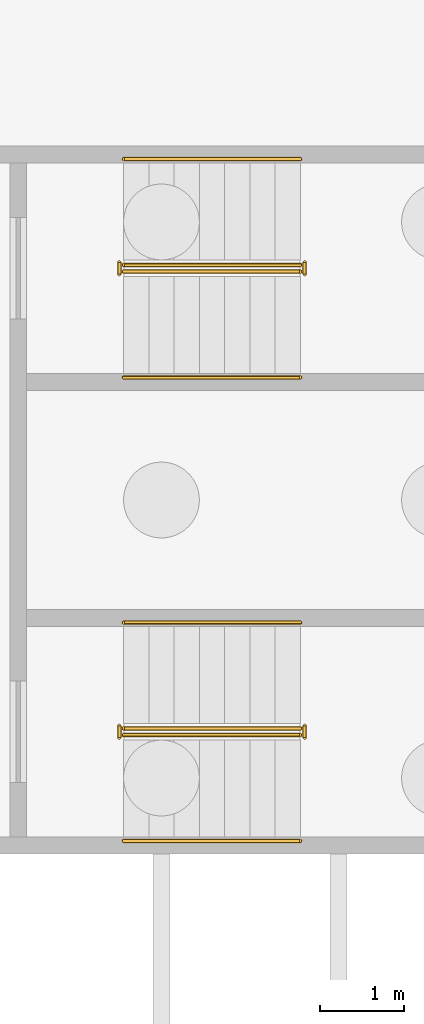
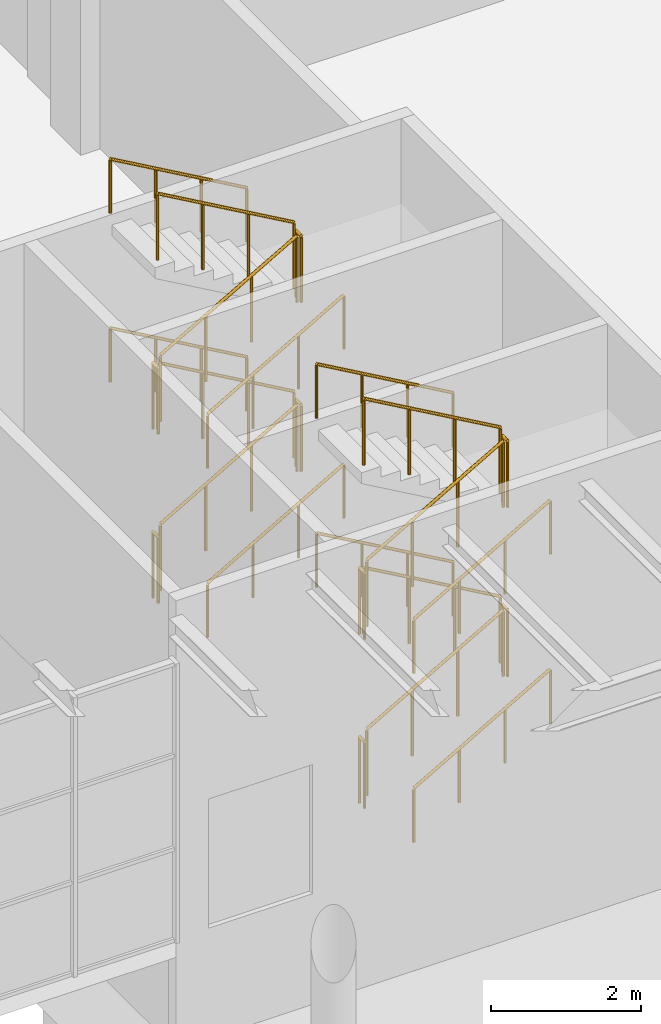
# One storey, part 72 of 82: 24 railings.
"""IFC4 building model written with IfcOpenShell, lengths in metres."""

from ifc_helpers import new_model, si_unit, direction, frame, origin, origin_2d, place, context, subcontext, project, spatial, circle, extrude, material, type_object, element, save


model = new_model("IFC4")

# Units and contexts
model_context = context("Model", 3, precision=1e-05, world=origin(), true_north=direction((0.0, 1.0)))
body_context = subcontext(model_context, "Body", "Model", "MODEL_VIEW")
ifc_project = project(units=[si_unit("LENGTHUNIT", "METRE"), si_unit("AREAUNIT", "SQUARE_METRE"), si_unit("VOLUMEUNIT", "CUBIC_METRE"), si_unit("PLANEANGLEUNIT", "RADIAN"), si_unit("MASSUNIT", "GRAM", prefix="KILO")], contexts=[model_context])

# Site, building, storey
site_placement = place(None, origin())
site = spatial("IfcSite", under=ifc_project, at=site_placement, CompositionType="ELEMENT")
building_placement = place(site_placement, origin())
building = spatial("IfcBuilding", under=site, at=building_placement, Name="Almond Square Museum", CompositionType="ELEMENT")
storey_placement = place(building_placement, origin())
storey = spatial("IfcBuildingStorey", under=building, at=storey_placement, Name="L00", CompositionType="ELEMENT", Elevation=0.0)

# Railings
ifc_material_1 = material(Name="Stainless steel and laminated glass", Category="steel")
railing_type_1 = type_object("IfcRailingType", Name="Stair guard 1100 steel and glass", PredefinedType="GUARDRAIL", material=ifc_material_1)
railing_1_placement = place(storey_placement, frame((102.14990234375, 68.610107421875, 0.171875)))
element("IfcRailing", 1, at=railing_1_placement, inside=storey, type_object=railing_type_1, Name="L00 ST-11 stair guard 1", PredefinedType="GUARDRAIL", context=body_context, shape_type="SweptSolid", body=[
    extrude(circle(Radius=0.02392578125, at=origin_2d()), frame((0.0, 0.0, 1.076171875), z_axis=(0.867696358075, 0.0, 0.497094588769), x_axis=(0.0, 1.0, 0.0)), (0.0, 0.0, 1.0), 2.42041015625),
    extrude(circle(Radius=0.02099609375, at=origin_2d()), origin(), (0.0, 0.0, 1.0), 1.052001953125),
    extrude(circle(Radius=0.02099609375, at=origin_2d()), frame((0.699951171875, 0.0, 0.401123046875)), (0.0, 0.0, 1.0), 1.052001953125),
    extrude(circle(Radius=0.02099609375, at=origin_2d()), frame((1.400146484375, 0.0, 0.802001953125)), (0.0, 0.0, 1.0), 1.052001953125),
    extrude(circle(Radius=0.02099609375, at=origin_2d()), frame((2.10009765625, 0.0, 1.203125)), (0.0, 0.0, 1.0), 1.052001953125),
])
railing_2_placement = place(storey_placement, frame((104.300048828125, 68.580078125, 1.375)))
element("IfcRailing", 2, at=railing_2_placement, inside=storey, type_object=railing_type_1, Name="L00 ST-11 stair guard 2", PredefinedType="GUARDRAIL", context=body_context, shape_type="SweptSolid", body=[
    extrude(circle(Radius=0.02392578125, at=origin_2d()), frame((0.0, 0.0, 1.076171875), z_axis=(0.0, 1.0, 0.0), x_axis=(-1.0, 0.0, 0.0)), (0.0, 0.0, 1.0), 0.139892578125),
    extrude(circle(Radius=0.02099609375, at=origin_2d()), origin(), (0.0, 0.0, 1.0), 1.052001953125),
    extrude(circle(Radius=0.02099609375, at=origin_2d()), frame((0.0, 0.139892578125, 0.0)), (0.0, 0.0, 1.0), 1.052001953125),
])
railing_3_placement = place(storey_placement, frame((104.25, 68.68994140625, 1.546875)))
element("IfcRailing", 3, at=railing_3_placement, inside=storey, type_object=railing_type_1, Name="L00 ST-11 stair guard 3", PredefinedType="GUARDRAIL", context=body_context, shape_type="SweptSolid", body=[
    extrude(circle(Radius=0.02392578125, at=origin_2d()), frame((0.0, 0.0, 1.076171875), z_axis=(-0.867696358075, 0.0, 0.497094588769), x_axis=(0.0, -1.0, 0.0)), (0.0, 0.0, 1.0), 2.42041015625),
    extrude(circle(Radius=0.02099609375, at=origin_2d()), origin(), (0.0, 0.0, 1.0), 1.052001953125),
    extrude(circle(Radius=0.02099609375, at=origin_2d()), frame((-0.699951171875, 0.0, 0.401123046875)), (0.0, 0.0, 1.0), 1.052001953125),
    extrude(circle(Radius=0.02099609375, at=origin_2d()), frame((-1.400146484375, 0.0, 0.802001953125)), (0.0, 0.0, 1.0), 1.052001953125),
    extrude(circle(Radius=0.02099609375, at=origin_2d()), frame((-2.10009765625, 0.0, 1.203125)), (0.0, 0.0, 1.0), 1.052001953125),
])
railing_4_placement = place(storey_placement, frame((102.10009765625, 68.580078125, 2.75)))
element("IfcRailing", 4, at=railing_4_placement, inside=storey, type_object=railing_type_1, Name="L00 ST-11 stair guard 4", PredefinedType="GUARDRAIL", context=body_context, shape_type="SweptSolid", body=[
    extrude(circle(Radius=0.02392578125, at=origin_2d()), frame((0.0, 0.0, 1.076171875), z_axis=(0.0, 1.0, 0.0), x_axis=(-1.0, 0.0, 0.0)), (0.0, 0.0, 1.0), 0.139892578125),
    extrude(circle(Radius=0.02099609375, at=origin_2d()), origin(), (0.0, 0.0, 1.0), 1.052001953125),
    extrude(circle(Radius=0.02099609375, at=origin_2d()), frame((0.0, 0.139892578125, 0.0)), (0.0, 0.0, 1.0), 1.052001953125),
])
railing_5_placement = place(storey_placement, frame((102.14990234375, 68.610107421875, 2.921875)))
element("IfcRailing", 5, at=railing_5_placement, inside=storey, type_object=railing_type_1, Name="L00 ST-11 stair guard 5", PredefinedType="GUARDRAIL", context=body_context, shape_type="SweptSolid", body=[
    extrude(circle(Radius=0.02392578125, at=origin_2d()), frame((0.0, 0.0, 1.076171875), z_axis=(0.867696358075, 0.0, 0.497094588769), x_axis=(0.0, 1.0, 0.0)), (0.0, 0.0, 1.0), 2.42041015625),
    extrude(circle(Radius=0.02099609375, at=origin_2d()), origin(), (0.0, 0.0, 1.0), 1.052001953125),
    extrude(circle(Radius=0.02099609375, at=origin_2d()), frame((0.699951171875, 0.0, 0.401123046875)), (0.0, 0.0, 1.0), 1.052001953125),
    extrude(circle(Radius=0.02099609375, at=origin_2d()), frame((1.400146484375, 0.0, 0.802001953125)), (0.0, 0.0, 1.0), 1.052001953125),
    extrude(circle(Radius=0.02099609375, at=origin_2d()), frame((2.10009765625, 0.0, 1.203125)), (0.0, 0.0, 1.0), 1.052001953125),
])
railing_6_placement = place(storey_placement, frame((104.300048828125, 68.580078125, 4.125)))
element("IfcRailing", 6, at=railing_6_placement, inside=storey, type_object=railing_type_1, Name="L00 ST-11 stair guard 6", PredefinedType="GUARDRAIL", context=body_context, shape_type="SweptSolid", body=[
    extrude(circle(Radius=0.02392578125, at=origin_2d()), frame((0.0, 0.0, 1.076171875), z_axis=(0.0, 1.0, 0.0), x_axis=(-1.0, 0.0, 0.0)), (0.0, 0.0, 1.0), 0.139892578125),
    extrude(circle(Radius=0.02099609375, at=origin_2d()), origin(), (0.0, 0.0, 1.0), 1.052001953125),
    extrude(circle(Radius=0.02099609375, at=origin_2d()), frame((0.0, 0.139892578125, 0.0)), (0.0, 0.0, 1.0), 1.052001953125),
])
railing_7_placement = place(storey_placement, frame((104.25, 68.68994140625, 4.296875)))
element("IfcRailing", 7, at=railing_7_placement, inside=storey, type_object=railing_type_1, Name="L00 ST-11 stair guard 7", PredefinedType="GUARDRAIL", context=body_context, shape_type="SweptSolid", body=[
    extrude(circle(Radius=0.02392578125, at=origin_2d()), frame((0.0, 0.0, 1.076171875), z_axis=(-0.867696358075, 0.0, 0.497094588769), x_axis=(0.0, -1.0, 0.0)), (0.0, 0.0, 1.0), 2.42041015625),
    extrude(circle(Radius=0.02099609375, at=origin_2d()), origin(), (0.0, 0.0, 1.0), 1.052001953125),
    extrude(circle(Radius=0.02099609375, at=origin_2d()), frame((-0.699951171875, 0.0, 0.401123046875)), (0.0, 0.0, 1.0), 1.052001953125),
    extrude(circle(Radius=0.02099609375, at=origin_2d()), frame((-1.400146484375, 0.0, 0.802001953125)), (0.0, 0.0, 1.0), 1.052001953125),
    extrude(circle(Radius=0.02099609375, at=origin_2d()), frame((-2.10009765625, 0.0, 1.203125)), (0.0, 0.0, 1.0), 1.052001953125),
])
railing_8_placement = place(storey_placement, frame((102.10009765625, 68.580078125, 0.0)))
element("IfcRailing", 8, at=railing_8_placement, inside=storey, type_object=railing_type_1, Name="L00 ST-11 stair guard 8", PredefinedType="GUARDRAIL", context=body_context, shape_type="SweptSolid", body=[
    extrude(circle(Radius=0.02392578125, at=origin_2d()), frame((0.0, 0.0, 1.076171875), z_axis=(0.0, 1.0, 0.0), x_axis=(-1.0, 0.0, 0.0)), (0.0, 0.0, 1.0), 0.139892578125),
    extrude(circle(Radius=0.02099609375, at=origin_2d()), origin(), (0.0, 0.0, 1.0), 1.052001953125),
    extrude(circle(Radius=0.02099609375, at=origin_2d()), frame((0.0, 0.139892578125, 0.0)), (0.0, 0.0, 1.0), 1.052001953125),
])
railing_9_placement = place(storey_placement, frame((102.14990234375, 74.110107421875, 0.171875)))
element("IfcRailing", 9, at=railing_9_placement, inside=storey, type_object=railing_type_1, Name="L00 ST-12 stair guard 1", PredefinedType="GUARDRAIL", context=body_context, shape_type="SweptSolid", body=[
    extrude(circle(Radius=0.02392578125, at=origin_2d()), frame((0.0, 0.0, 1.076171875), z_axis=(0.867696358075, 0.0, 0.497094588769), x_axis=(0.0, 1.0, 0.0)), (0.0, 0.0, 1.0), 2.42041015625),
    extrude(circle(Radius=0.02099609375, at=origin_2d()), origin(), (0.0, 0.0, 1.0), 1.052001953125),
    extrude(circle(Radius=0.02099609375, at=origin_2d()), frame((0.699951171875, 0.0, 0.401123046875)), (0.0, 0.0, 1.0), 1.052001953125),
    extrude(circle(Radius=0.02099609375, at=origin_2d()), frame((1.400146484375, 0.0, 0.802001953125)), (0.0, 0.0, 1.0), 1.052001953125),
    extrude(circle(Radius=0.02099609375, at=origin_2d()), frame((2.10009765625, 0.0, 1.203125)), (0.0, 0.0, 1.0), 1.052001953125),
])
railing_10_placement = place(storey_placement, frame((104.300048828125, 74.080078125, 1.375)))
element("IfcRailing", 10, at=railing_10_placement, inside=storey, type_object=railing_type_1, Name="L00 ST-12 stair guard 2", PredefinedType="GUARDRAIL", context=body_context, shape_type="SweptSolid", body=[
    extrude(circle(Radius=0.02392578125, at=origin_2d()), frame((0.0, 0.0, 1.076171875), z_axis=(0.0, 1.0, 0.0), x_axis=(-1.0, 0.0, 0.0)), (0.0, 0.0, 1.0), 0.139892578125),
    extrude(circle(Radius=0.02099609375, at=origin_2d()), origin(), (0.0, 0.0, 1.0), 1.052001953125),
    extrude(circle(Radius=0.02099609375, at=origin_2d()), frame((0.0, 0.139892578125, 0.0)), (0.0, 0.0, 1.0), 1.052001953125),
])
railing_11_placement = place(storey_placement, frame((104.25, 74.18994140625, 1.546875)))
element("IfcRailing", 11, at=railing_11_placement, inside=storey, type_object=railing_type_1, Name="L00 ST-12 stair guard 3", PredefinedType="GUARDRAIL", context=body_context, shape_type="SweptSolid", body=[
    extrude(circle(Radius=0.02392578125, at=origin_2d()), frame((0.0, 0.0, 1.076171875), z_axis=(-0.867696358075, 0.0, 0.497094588769), x_axis=(0.0, -1.0, 0.0)), (0.0, 0.0, 1.0), 2.42041015625),
    extrude(circle(Radius=0.02099609375, at=origin_2d()), origin(), (0.0, 0.0, 1.0), 1.052001953125),
    extrude(circle(Radius=0.02099609375, at=origin_2d()), frame((-0.699951171875, 0.0, 0.401123046875)), (0.0, 0.0, 1.0), 1.052001953125),
    extrude(circle(Radius=0.02099609375, at=origin_2d()), frame((-1.400146484375, 0.0, 0.802001953125)), (0.0, 0.0, 1.0), 1.052001953125),
    extrude(circle(Radius=0.02099609375, at=origin_2d()), frame((-2.10009765625, 0.0, 1.203125)), (0.0, 0.0, 1.0), 1.052001953125),
])
railing_12_placement = place(storey_placement, frame((102.10009765625, 74.080078125, 2.75)))
element("IfcRailing", 12, at=railing_12_placement, inside=storey, type_object=railing_type_1, Name="L00 ST-12 stair guard 4", PredefinedType="GUARDRAIL", context=body_context, shape_type="SweptSolid", body=[
    extrude(circle(Radius=0.02392578125, at=origin_2d()), frame((0.0, 0.0, 1.076171875), z_axis=(0.0, 1.0, 0.0), x_axis=(-1.0, 0.0, 0.0)), (0.0, 0.0, 1.0), 0.139892578125),
    extrude(circle(Radius=0.02099609375, at=origin_2d()), origin(), (0.0, 0.0, 1.0), 1.052001953125),
    extrude(circle(Radius=0.02099609375, at=origin_2d()), frame((0.0, 0.139892578125, 0.0)), (0.0, 0.0, 1.0), 1.052001953125),
])
railing_13_placement = place(storey_placement, frame((102.14990234375, 74.110107421875, 2.921875)))
element("IfcRailing", 13, at=railing_13_placement, inside=storey, type_object=railing_type_1, Name="L00 ST-12 stair guard 5", PredefinedType="GUARDRAIL", context=body_context, shape_type="SweptSolid", body=[
    extrude(circle(Radius=0.02392578125, at=origin_2d()), frame((0.0, 0.0, 1.076171875), z_axis=(0.867696358075, 0.0, 0.497094588769), x_axis=(0.0, 1.0, 0.0)), (0.0, 0.0, 1.0), 2.42041015625),
    extrude(circle(Radius=0.02099609375, at=origin_2d()), origin(), (0.0, 0.0, 1.0), 1.052001953125),
    extrude(circle(Radius=0.02099609375, at=origin_2d()), frame((0.699951171875, 0.0, 0.401123046875)), (0.0, 0.0, 1.0), 1.052001953125),
    extrude(circle(Radius=0.02099609375, at=origin_2d()), frame((1.400146484375, 0.0, 0.802001953125)), (0.0, 0.0, 1.0), 1.052001953125),
    extrude(circle(Radius=0.02099609375, at=origin_2d()), frame((2.10009765625, 0.0, 1.203125)), (0.0, 0.0, 1.0), 1.052001953125),
])
railing_14_placement = place(storey_placement, frame((104.300048828125, 74.080078125, 4.125)))
element("IfcRailing", 14, at=railing_14_placement, inside=storey, type_object=railing_type_1, Name="L00 ST-12 stair guard 6", PredefinedType="GUARDRAIL", context=body_context, shape_type="SweptSolid", body=[
    extrude(circle(Radius=0.02392578125, at=origin_2d()), frame((0.0, 0.0, 1.076171875), z_axis=(0.0, 1.0, 0.0), x_axis=(-1.0, 0.0, 0.0)), (0.0, 0.0, 1.0), 0.139892578125),
    extrude(circle(Radius=0.02099609375, at=origin_2d()), origin(), (0.0, 0.0, 1.0), 1.052001953125),
    extrude(circle(Radius=0.02099609375, at=origin_2d()), frame((0.0, 0.139892578125, 0.0)), (0.0, 0.0, 1.0), 1.052001953125),
])
railing_15_placement = place(storey_placement, frame((104.25, 74.18994140625, 4.296875)))
element("IfcRailing", 15, at=railing_15_placement, inside=storey, type_object=railing_type_1, Name="L00 ST-12 stair guard 7", PredefinedType="GUARDRAIL", context=body_context, shape_type="SweptSolid", body=[
    extrude(circle(Radius=0.02392578125, at=origin_2d()), frame((0.0, 0.0, 1.076171875), z_axis=(-0.867696358075, 0.0, 0.497094588769), x_axis=(0.0, -1.0, 0.0)), (0.0, 0.0, 1.0), 2.42041015625),
    extrude(circle(Radius=0.02099609375, at=origin_2d()), origin(), (0.0, 0.0, 1.0), 1.052001953125),
    extrude(circle(Radius=0.02099609375, at=origin_2d()), frame((-0.699951171875, 0.0, 0.401123046875)), (0.0, 0.0, 1.0), 1.052001953125),
    extrude(circle(Radius=0.02099609375, at=origin_2d()), frame((-1.400146484375, 0.0, 0.802001953125)), (0.0, 0.0, 1.0), 1.052001953125),
    extrude(circle(Radius=0.02099609375, at=origin_2d()), frame((-2.10009765625, 0.0, 1.203125)), (0.0, 0.0, 1.0), 1.052001953125),
])
railing_16_placement = place(storey_placement, frame((102.10009765625, 74.080078125, 0.0)))
element("IfcRailing", 16, at=railing_16_placement, inside=storey, type_object=railing_type_1, Name="L00 ST-12 stair guard 8", PredefinedType="GUARDRAIL", context=body_context, shape_type="SweptSolid", body=[
    extrude(circle(Radius=0.02392578125, at=origin_2d()), frame((0.0, 0.0, 1.076171875), z_axis=(0.0, 1.0, 0.0), x_axis=(-1.0, 0.0, 0.0)), (0.0, 0.0, 1.0), 0.139892578125),
    extrude(circle(Radius=0.02099609375, at=origin_2d()), origin(), (0.0, 0.0, 1.0), 1.052001953125),
    extrude(circle(Radius=0.02099609375, at=origin_2d()), frame((0.0, 0.139892578125, 0.0)), (0.0, 0.0, 1.0), 1.052001953125),
])
ifc_material_2 = material(Name="Stainless steel", Category="steel")
railing_type_2 = type_object("IfcRailingType", Name="Stair handrail 900 steel", PredefinedType="HANDRAIL", material=ifc_material_2)
railing_17_placement = place(storey_placement, frame((102.14990234375, 67.35498046875, 0.171875)))
element("IfcRailing", 17, at=railing_17_placement, inside=storey, type_object=railing_type_2, Name="L00 ST-11 stair handrail 1", PredefinedType="HANDRAIL", context=body_context, shape_type="SweptSolid", body=[
    extrude(circle(Radius=0.02392578125, at=origin_2d()), frame((0.0, 0.0, 0.8759765625), z_axis=(0.867696358075, 0.0, 0.497094588769), x_axis=(0.0, 1.0, 0.0)), (0.0, 0.0, 1.0), 2.42041015625),
    extrude(circle(Radius=0.02099609375, at=origin_2d()), origin(), (0.0, 0.0, 1.0), 0.851806640625),
    extrude(circle(Radius=0.02099609375, at=origin_2d()), frame((0.699951171875, 0.0, 0.401123046875)), (0.0, 0.0, 1.0), 0.851806640625),
    extrude(circle(Radius=0.02099609375, at=origin_2d()), frame((1.400146484375, 0.0, 0.802001953125)), (0.0, 0.0, 1.0), 0.851806640625),
    extrude(circle(Radius=0.02099609375, at=origin_2d()), frame((2.10009765625, 0.0, 1.203125)), (0.0, 0.0, 1.0), 0.851806640625),
])
railing_18_placement = place(storey_placement, frame((104.25, 69.945068359375, 1.546875)))
element("IfcRailing", 18, at=railing_18_placement, inside=storey, type_object=railing_type_2, Name="L00 ST-11 stair handrail 2", PredefinedType="HANDRAIL", context=body_context, shape_type="SweptSolid", body=[
    extrude(circle(Radius=0.02392578125, at=origin_2d()), frame((0.0, 0.0, 0.8759765625), z_axis=(-0.867696358075, 0.0, 0.497094588769), x_axis=(0.0, -1.0, 0.0)), (0.0, 0.0, 1.0), 2.42041015625),
    extrude(circle(Radius=0.02099609375, at=origin_2d()), origin(), (0.0, 0.0, 1.0), 0.851806640625),
    extrude(circle(Radius=0.02099609375, at=origin_2d()), frame((-0.699951171875, 0.0, 0.401123046875)), (0.0, 0.0, 1.0), 0.851806640625),
    extrude(circle(Radius=0.02099609375, at=origin_2d()), frame((-1.400146484375, 0.0, 0.802001953125)), (0.0, 0.0, 1.0), 0.851806640625),
    extrude(circle(Radius=0.02099609375, at=origin_2d()), frame((-2.10009765625, 0.0, 1.203125)), (0.0, 0.0, 1.0), 0.851806640625),
])
railing_19_placement = place(storey_placement, frame((102.14990234375, 67.35498046875, 2.921875)))
element("IfcRailing", 19, at=railing_19_placement, inside=storey, type_object=railing_type_2, Name="L00 ST-11 stair handrail 3", PredefinedType="HANDRAIL", context=body_context, shape_type="SweptSolid", body=[
    extrude(circle(Radius=0.02392578125, at=origin_2d()), frame((0.0, 0.0, 0.8759765625), z_axis=(0.867696358075, 0.0, 0.497094588769), x_axis=(0.0, 1.0, 0.0)), (0.0, 0.0, 1.0), 2.42041015625),
    extrude(circle(Radius=0.02099609375, at=origin_2d()), origin(), (0.0, 0.0, 1.0), 0.851806640625),
    extrude(circle(Radius=0.02099609375, at=origin_2d()), frame((0.699951171875, 0.0, 0.401123046875)), (0.0, 0.0, 1.0), 0.851806640625),
    extrude(circle(Radius=0.02099609375, at=origin_2d()), frame((1.400146484375, 0.0, 0.802001953125)), (0.0, 0.0, 1.0), 0.851806640625),
    extrude(circle(Radius=0.02099609375, at=origin_2d()), frame((2.10009765625, 0.0, 1.203125)), (0.0, 0.0, 1.0), 0.851806640625),
])
railing_20_placement = place(storey_placement, frame((104.25, 69.945068359375, 4.296875)))
element("IfcRailing", 20, at=railing_20_placement, inside=storey, type_object=railing_type_2, Name="L00 ST-11 stair handrail 4", PredefinedType="HANDRAIL", context=body_context, shape_type="SweptSolid", body=[
    extrude(circle(Radius=0.02392578125, at=origin_2d()), frame((0.0, 0.0, 0.8759765625), z_axis=(-0.867696358075, 0.0, 0.497094588769), x_axis=(0.0, -1.0, 0.0)), (0.0, 0.0, 1.0), 2.42041015625),
    extrude(circle(Radius=0.02099609375, at=origin_2d()), origin(), (0.0, 0.0, 1.0), 0.851806640625),
    extrude(circle(Radius=0.02099609375, at=origin_2d()), frame((-0.699951171875, 0.0, 0.401123046875)), (0.0, 0.0, 1.0), 0.851806640625),
    extrude(circle(Radius=0.02099609375, at=origin_2d()), frame((-1.400146484375, 0.0, 0.802001953125)), (0.0, 0.0, 1.0), 0.851806640625),
    extrude(circle(Radius=0.02099609375, at=origin_2d()), frame((-2.10009765625, 0.0, 1.203125)), (0.0, 0.0, 1.0), 0.851806640625),
])
railing_21_placement = place(storey_placement, frame((102.14990234375, 72.85498046875, 0.171875)))
element("IfcRailing", 21, at=railing_21_placement, inside=storey, type_object=railing_type_2, Name="L00 ST-12 stair handrail 1", PredefinedType="HANDRAIL", context=body_context, shape_type="SweptSolid", body=[
    extrude(circle(Radius=0.02392578125, at=origin_2d()), frame((0.0, 0.0, 0.8759765625), z_axis=(0.867696358075, 0.0, 0.497094588769), x_axis=(0.0, 1.0, 0.0)), (0.0, 0.0, 1.0), 2.42041015625),
    extrude(circle(Radius=0.02099609375, at=origin_2d()), origin(), (0.0, 0.0, 1.0), 0.851806640625),
    extrude(circle(Radius=0.02099609375, at=origin_2d()), frame((0.699951171875, 0.0, 0.401123046875)), (0.0, 0.0, 1.0), 0.851806640625),
    extrude(circle(Radius=0.02099609375, at=origin_2d()), frame((1.400146484375, 0.0, 0.802001953125)), (0.0, 0.0, 1.0), 0.851806640625),
    extrude(circle(Radius=0.02099609375, at=origin_2d()), frame((2.10009765625, 0.0, 1.203125)), (0.0, 0.0, 1.0), 0.851806640625),
])
railing_22_placement = place(storey_placement, frame((104.25, 75.445068359375, 1.546875)))
element("IfcRailing", 22, at=railing_22_placement, inside=storey, type_object=railing_type_2, Name="L00 ST-12 stair handrail 2", PredefinedType="HANDRAIL", context=body_context, shape_type="SweptSolid", body=[
    extrude(circle(Radius=0.02392578125, at=origin_2d()), frame((0.0, 0.0, 0.8759765625), z_axis=(-0.867696358075, 0.0, 0.497094588769), x_axis=(0.0, -1.0, 0.0)), (0.0, 0.0, 1.0), 2.42041015625),
    extrude(circle(Radius=0.02099609375, at=origin_2d()), origin(), (0.0, 0.0, 1.0), 0.851806640625),
    extrude(circle(Radius=0.02099609375, at=origin_2d()), frame((-0.699951171875, 0.0, 0.401123046875)), (0.0, 0.0, 1.0), 0.851806640625),
    extrude(circle(Radius=0.02099609375, at=origin_2d()), frame((-1.400146484375, 0.0, 0.802001953125)), (0.0, 0.0, 1.0), 0.851806640625),
    extrude(circle(Radius=0.02099609375, at=origin_2d()), frame((-2.10009765625, 0.0, 1.203125)), (0.0, 0.0, 1.0), 0.851806640625),
])
railing_23_placement = place(storey_placement, frame((102.14990234375, 72.85498046875, 2.921875)))
element("IfcRailing", 23, at=railing_23_placement, inside=storey, type_object=railing_type_2, Name="L00 ST-12 stair handrail 3", PredefinedType="HANDRAIL", context=body_context, shape_type="SweptSolid", body=[
    extrude(circle(Radius=0.02392578125, at=origin_2d()), frame((0.0, 0.0, 0.8759765625), z_axis=(0.867696358075, 0.0, 0.497094588769), x_axis=(0.0, 1.0, 0.0)), (0.0, 0.0, 1.0), 2.42041015625),
    extrude(circle(Radius=0.02099609375, at=origin_2d()), origin(), (0.0, 0.0, 1.0), 0.851806640625),
    extrude(circle(Radius=0.02099609375, at=origin_2d()), frame((0.699951171875, 0.0, 0.401123046875)), (0.0, 0.0, 1.0), 0.851806640625),
    extrude(circle(Radius=0.02099609375, at=origin_2d()), frame((1.400146484375, 0.0, 0.802001953125)), (0.0, 0.0, 1.0), 0.851806640625),
    extrude(circle(Radius=0.02099609375, at=origin_2d()), frame((2.10009765625, 0.0, 1.203125)), (0.0, 0.0, 1.0), 0.851806640625),
])
railing_24_placement = place(storey_placement, frame((104.25, 75.445068359375, 4.296875)))
element("IfcRailing", 24, at=railing_24_placement, inside=storey, type_object=railing_type_2, Name="L00 ST-12 stair handrail 4", PredefinedType="HANDRAIL", context=body_context, shape_type="SweptSolid", body=[
    extrude(circle(Radius=0.02392578125, at=origin_2d()), frame((0.0, 0.0, 0.8759765625), z_axis=(-0.867696358075, 0.0, 0.497094588769), x_axis=(0.0, -1.0, 0.0)), (0.0, 0.0, 1.0), 2.42041015625),
    extrude(circle(Radius=0.02099609375, at=origin_2d()), origin(), (0.0, 0.0, 1.0), 0.851806640625),
    extrude(circle(Radius=0.02099609375, at=origin_2d()), frame((-0.699951171875, 0.0, 0.401123046875)), (0.0, 0.0, 1.0), 0.851806640625),
    extrude(circle(Radius=0.02099609375, at=origin_2d()), frame((-1.400146484375, 0.0, 0.802001953125)), (0.0, 0.0, 1.0), 0.851806640625),
    extrude(circle(Radius=0.02099609375, at=origin_2d()), frame((-2.10009765625, 0.0, 1.203125)), (0.0, 0.0, 1.0), 0.851806640625),
])

save(model, "model.ifc")
